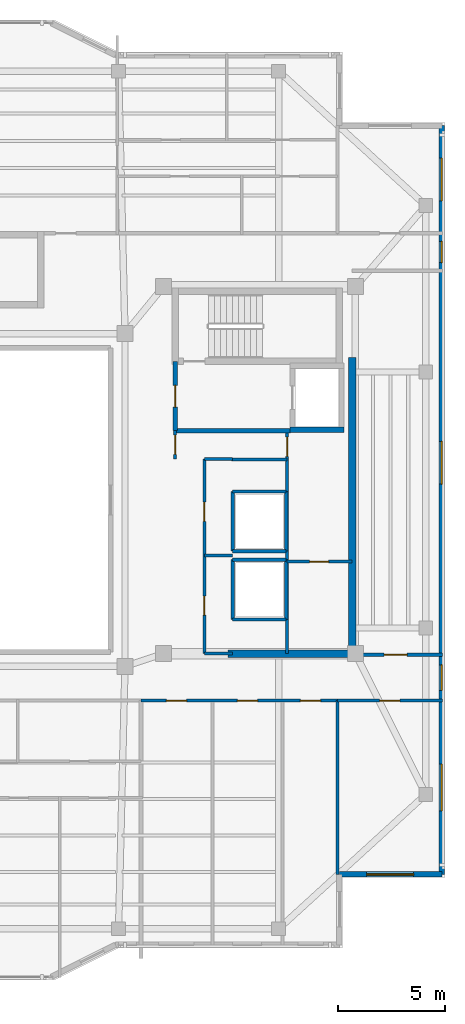
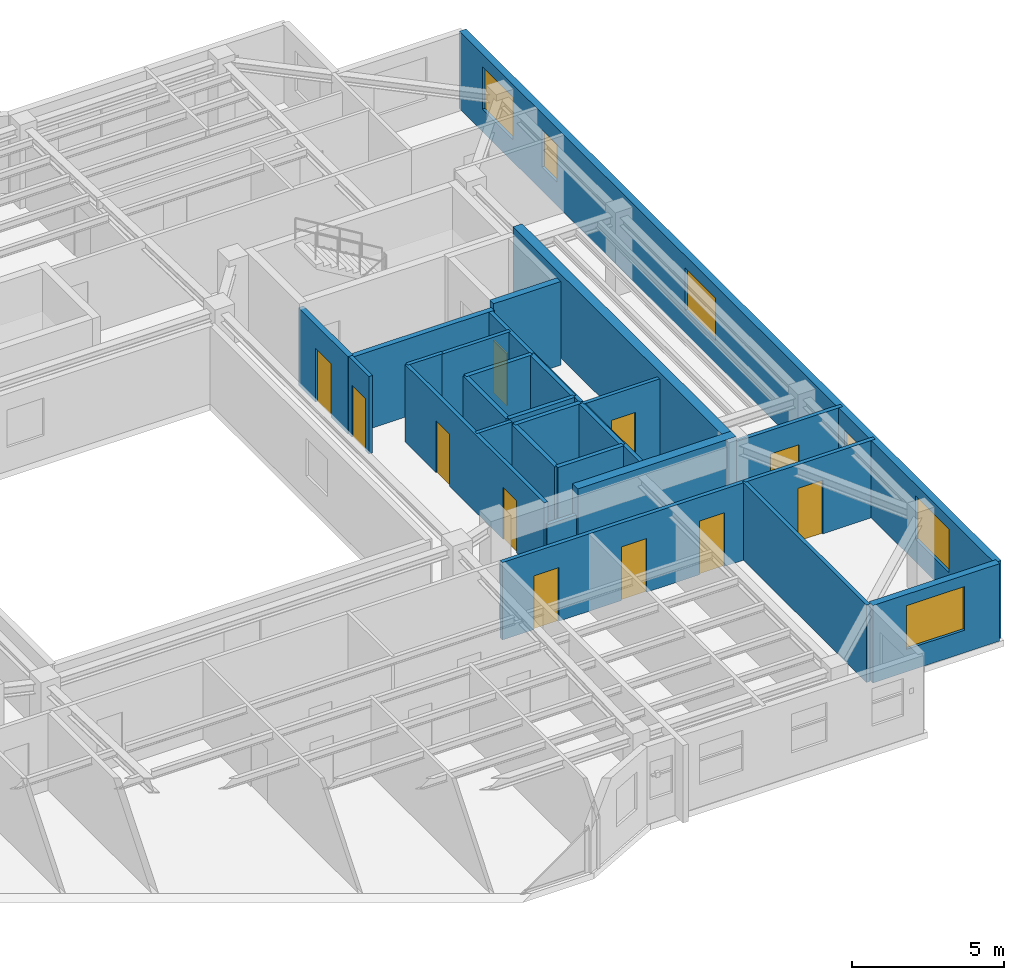
# One storey, part 8 of 13: 27 walls, 11 doors, 6 windows, 17 openings.
"""IFC4 building model written with IfcOpenShell, lengths in metres."""

from ifc_helpers import new_model, si_unit, direction, frame, frame_2d, origin, place, context, subcontext, project, spatial, rectangle, extrude, material, layer, layer_set, type_object, element, fill, save


model = new_model("IFC4")

# Units and contexts
model_context = context("Model", 3, precision=1e-05, world=origin(), true_north=direction((0.0, 1.0)))
body_context = subcontext(model_context, "Body", "Model", "MODEL_VIEW")
ifc_project = project(units=[si_unit("LENGTHUNIT", "METRE"), si_unit("AREAUNIT", "SQUARE_METRE"), si_unit("VOLUMEUNIT", "CUBIC_METRE"), si_unit("PLANEANGLEUNIT", "RADIAN"), si_unit("MASSUNIT", "GRAM", prefix="KILO")], contexts=[model_context])

# Site, building, storey
site_placement = place(None, origin())
site = spatial("IfcSite", under=ifc_project, at=site_placement, CompositionType="ELEMENT")
building_placement = place(site_placement, origin())
building = spatial("IfcBuilding", under=site, at=building_placement, Name="Tarnavaz Court Tower", CompositionType="ELEMENT")
storey_placement = place(building_placement, frame((0.0, 0.0, 248.199951171875)))
storey = spatial("IfcBuildingStorey", under=building, at=storey_placement, Name="L67", CompositionType="ELEMENT", Elevation=248.199951171875)

# Walls
ifc_material_1 = material(Name="Concrete C50/60", Category="concrete")
ifc_layer_1 = layer(ifc_material_1, 0.25)
ifc_layer_set_1 = layer_set([ifc_layer_1], Name="Concrete C50/60")
wall_type_1 = type_object("IfcWallType", Name="WL-CORE-250-C50", PredefinedType="SHEAR", material=ifc_layer_set_1)
wall_1_placement = place(storey_placement, frame((15.52490234375, 3.300048828125, 0.0), z_axis=(0.0, 0.0, 1.0), x_axis=(1.0, 0.0, 0.0)))
element("IfcWall", 1, at=wall_1_placement, inside=storey, type_object=wall_type_1, Name="L67 Lift FL-E1 Shaft Wall 035", PredefinedType="SHEAR", context=body_context, shape_type="SweptSolid", body=[
    extrude(rectangle(XDim=2.550048828125, YDim=0.25, at=frame_2d((1.27490234375, 0.0))), origin(), (0.0, 0.0, 1.0), 3.35009765625),
])
ifc_layer_2 = layer(ifc_material_1, 0.35009765625)
ifc_layer_set_2 = layer_set([ifc_layer_2], Name="Concrete C50/60")
wall_type_2 = type_object("IfcWallType", Name="WL-CORE-350-C50", PredefinedType="SHEAR", material=ifc_layer_set_2)
wall_2_placement = place(storey_placement, frame((18.449951171875, -7.375, 0.0), z_axis=(0.0, 0.0, 1.0), x_axis=(0.0, 1.0, 0.0)))
element("IfcWall", 2, at=wall_2_placement, inside=storey, type_object=wall_type_2, Name="L67 East Core Shear Wall 047", PredefinedType="SHEAR", context=body_context, shape_type="SweptSolid", body=[
    extrude(rectangle(XDim=14.050048828125, YDim=0.35009765625, at=frame_2d((7.02490234375, 0.0))), origin(), (0.0, 0.0, 1.0), 3.35009765625),
])
wall_3_placement = place(storey_placement, frame((12.625, -7.199951171875, 0.0), z_axis=(0.0, 0.0, 1.0), x_axis=(1.0, 0.0, 0.0)))
element("IfcWall", 3, at=wall_3_placement, inside=storey, type_object=wall_type_2, Name="L67 East Core South Shear Wall 048", PredefinedType="SHEAR", context=body_context, shape_type="SweptSolid", body=[
    extrude(rectangle(XDim=6.0, YDim=0.35009765625, at=frame_2d((3.0, 0.0))), origin(), (0.0, 0.0, 1.0), 3.35009765625),
])

# Wall, openings, windows
ifc_material_2 = material(Name="Precast Concrete C40/50", Category="concrete")
ifc_layer_3 = layer(ifc_material_2, 0.260009765625)
ifc_layer_set_3 = layer_set([ifc_layer_3], Name="Precast Concrete C40/50")
wall_type_3 = type_object("IfcWallType", Name="WL-EXT-260", PredefinedType="SOLIDWALL", material=ifc_layer_set_3)
wall_4_placement = place(storey_placement, frame((22.64990234375, 17.550048828125, 0.0), z_axis=(0.0, 0.0, 1.0), x_axis=(0.0, -1.0, 0.0)))
wall_4 = element("IfcWall", 4, at=wall_4_placement, inside=storey, type_object=wall_type_3, Name="L67 Exterior Terracotta Facade Wall 12", PredefinedType="SOLIDWALL", context=body_context, shape_type="SweptSolid", body=[
    extrude(rectangle(XDim=35.10009765625, YDim=0.260009765625, at=frame_2d((17.550048828125, 0.0))), origin(), (0.0, 0.0, 1.0), 3.10009765625),
])
opening_1_placement = place(wall_4_placement, frame((1.52490234375, 0.0, 0.89990234375)))
opening_1 = element("IfcOpeningElement", 5, at=opening_1_placement, cuts=wall_4, Name="Opening W08", PredefinedType="OPENING", context=body_context, shape_type="SweptSolid", body=[
    extrude(rectangle(XDim=2.0, YDim=1.699951171875, at=frame_2d((1.0, 0.85009765625))), frame((0.0, 0.139892578125, 0.0), z_axis=(0.0, -1.0, 0.0), x_axis=(1.0, 0.0, 0.0)), (0.0, 0.0, 1.0), 0.280029296875),
])
opening_2_placement = place(wall_4_placement, frame((5.425048828125, 0.0, 0.949951171875)))
opening_2 = element("IfcOpeningElement", 6, at=opening_2_placement, cuts=wall_4, Name="Opening W14", PredefinedType="OPENING", context=body_context, shape_type="SweptSolid", body=[
    extrude(rectangle(XDim=1.0, YDim=1.5, at=frame_2d((0.5, 0.75))), frame((0.0, 0.139892578125, 0.0), z_axis=(0.0, -1.0, 0.0), x_axis=(1.0, 0.0, 0.0)), (0.0, 0.0, 1.0), 0.280029296875),
])
opening_3_placement = place(wall_4_placement, frame((14.800048828125, 0.0, 0.89990234375)))
opening_3 = element("IfcOpeningElement", 7, at=opening_3_placement, cuts=wall_4, Name="Opening W08", PredefinedType="OPENING", context=body_context, shape_type="SweptSolid", body=[
    extrude(rectangle(XDim=2.0, YDim=1.699951171875, at=frame_2d((1.0, 0.85009765625))), frame((0.0, 0.139892578125, 0.0), z_axis=(0.0, -1.0, 0.0), x_axis=(1.0, 0.0, 0.0)), (0.0, 0.0, 1.0), 0.280029296875),
])
opening_4_placement = place(wall_4_placement, frame((25.27490234375, 0.0, 0.949951171875)))
opening_4 = element("IfcOpeningElement", 8, at=opening_4_placement, cuts=wall_4, Name="Opening W05", PredefinedType="OPENING", context=body_context, shape_type="SweptSolid", body=[
    extrude(rectangle(XDim=1.199951171875, YDim=1.5, at=frame_2d((0.60009765625, 0.75))), frame((0.0, 0.139892578125, 0.0), z_axis=(0.0, -1.0, 0.0), x_axis=(1.0, 0.0, 0.0)), (0.0, 0.0, 1.0), 0.280029296875),
])
opening_5_placement = place(wall_4_placement, frame((29.925048828125, 0.0, 0.89990234375)))
opening_5 = element("IfcOpeningElement", 9, at=opening_5_placement, cuts=wall_4, Name="Opening W07", PredefinedType="OPENING", context=body_context, shape_type="SweptSolid", body=[
    extrude(rectangle(XDim=2.199951171875, YDim=1.75, at=frame_2d((1.10009765625, 0.875))), frame((0.0, 0.139892578125, 0.0), z_axis=(0.0, -1.0, 0.0), x_axis=(1.0, 0.0, 0.0)), (0.0, 0.0, 1.0), 0.280029296875),
])
ifc_material_3 = material(Name="Double-Glazed Solar Low-E Glass", Category="glass")
window_type_1 = type_object("IfcWindowType", Name="WN-APT-1000", PartitioningType="SINGLE_PANEL", PredefinedType="WINDOW", material=ifc_material_3)
window_1_placement = place(opening_2_placement, origin())
window_1 = element("IfcWindow", 10, at=window_1_placement, inside=storey, type_object=window_type_1, Name="L67 North-East Corner Corridor Window", OverallHeight=1.5, OverallWidth=1.0, PartitioningType="SINGLE_PANEL", PredefinedType="WINDOW", context=body_context, shape_type="SweptSolid", body=[
    extrude(rectangle(XDim=1.0, YDim=1.5, at=frame_2d((0.5, 0.75))), frame((0.0, 0.030029296875, 0.0), z_axis=(0.0, -1.0, 0.0), x_axis=(1.0, 0.0, 0.0)), (0.0, 0.0, 1.0), 0.06005859375),
])
fill(opening_2, window_1)
window_type_2 = type_object("IfcWindowType", Name="WN-APT-1200", PartitioningType="SINGLE_PANEL", PredefinedType="WINDOW", material=ifc_material_3)
window_2_placement = place(opening_4_placement, origin())
window_2 = element("IfcWindow", 11, at=window_2_placement, inside=storey, type_object=window_type_2, Name="L67 South-East Corner Corridor Window", OverallHeight=1.5, OverallWidth=1.199951171875, PartitioningType="SINGLE_PANEL", PredefinedType="WINDOW", context=body_context, shape_type="SweptSolid", body=[
    extrude(rectangle(XDim=1.199951171875, YDim=1.5, at=frame_2d((0.60009765625, 0.75))), frame((0.0, 0.030029296875, 0.0), z_axis=(0.0, -1.0, 0.0), x_axis=(1.0, 0.0, 0.0)), (0.0, 0.0, 1.0), 0.06005859375),
])
fill(opening_4, window_2)
window_type_3 = type_object("IfcWindowType", Name="WN-APT-2000", PartitioningType="DOUBLE_PANEL_VERTICAL", PredefinedType="WINDOW", material=ifc_material_3)
window_3_placement = place(opening_1_placement, origin())
window_3 = element("IfcWindow", 12, at=window_3_placement, inside=storey, type_object=window_type_3, Name="L67 North-East Corner Sunroom Study Window", OverallHeight=1.699951171875, OverallWidth=2.0, PartitioningType="SINGLE_PANEL", PredefinedType="WINDOW", context=body_context, shape_type="SweptSolid", body=[
    extrude(rectangle(XDim=2.0, YDim=1.699951171875, at=frame_2d((1.0, 0.85009765625))), frame((0.0, 0.030029296875, 0.0), z_axis=(0.0, -1.0, 0.0), x_axis=(1.0, 0.0, 0.0)), (0.0, 0.0, 1.0), 0.06005859375),
])
fill(opening_1, window_3)
window_4_placement = place(opening_3_placement, origin())
window_4 = element("IfcWindow", 13, at=window_4_placement, inside=storey, type_object=window_type_3, Name="L67 East Wing Resident Fitness Lounge Window", OverallHeight=1.699951171875, OverallWidth=2.0, PartitioningType="SINGLE_PANEL", PredefinedType="WINDOW", context=body_context, shape_type="SweptSolid", body=[
    extrude(rectangle(XDim=2.0, YDim=1.699951171875, at=frame_2d((1.0, 0.85009765625))), frame((0.0, 0.030029296875, 0.0), z_axis=(0.0, -1.0, 0.0), x_axis=(1.0, 0.0, 0.0)), (0.0, 0.0, 1.0), 0.06005859375),
])
fill(opening_3, window_4)
window_type_4 = type_object("IfcWindowType", Name="WN-APT-2200", PartitioningType="TRIPLE_PANEL_VERTICAL", PredefinedType="WINDOW", material=ifc_material_3)
window_5_placement = place(opening_5_placement, origin())
window_5 = element("IfcWindow", 14, at=window_5_placement, inside=storey, type_object=window_type_4, Name="L67 South-East Corner Reading Room Window", OverallHeight=1.75, OverallWidth=2.199951171875, PartitioningType="SINGLE_PANEL", PredefinedType="WINDOW", context=body_context, shape_type="SweptSolid", body=[
    extrude(rectangle(XDim=2.199951171875, YDim=1.75, at=frame_2d((1.10009765625, 0.875))), frame((0.0, 0.030029296875, 0.0), z_axis=(0.0, -1.0, 0.0), x_axis=(1.0, 0.0, 0.0)), (0.0, 0.0, 1.0), 0.06005859375),
])
fill(opening_5, window_5)

# Wall, opening, window
wall_5_placement = place(storey_placement, frame((22.64990234375, -17.550048828125, 0.0), z_axis=(0.0, 0.0, 1.0), x_axis=(-1.0, 0.0, 0.0)))
wall_5 = element("IfcWall", 15, at=wall_5_placement, inside=storey, type_object=wall_type_3, Name="L67 Exterior Terracotta Facade Wall 13", PredefinedType="SOLIDWALL", context=body_context, shape_type="SweptSolid", body=[
    extrude(rectangle(XDim=4.7998046875, YDim=0.260009765625, at=frame_2d((2.39990234375, 0.0))), origin(), (0.0, 0.0, 1.0), 3.10009765625),
])
opening_6_placement = place(wall_5_placement, frame((1.3251953125, 0.0, 0.89990234375)))
opening_6 = element("IfcOpeningElement", 16, at=opening_6_placement, cuts=wall_5, Name="Opening W07", PredefinedType="OPENING", context=body_context, shape_type="SweptSolid", body=[
    extrude(rectangle(XDim=2.199951171875, YDim=1.75, at=frame_2d((1.10009765625, 0.875))), frame((0.0, 0.139892578125, 0.0), z_axis=(0.0, -1.0, 0.0), x_axis=(1.0, 0.0, 0.0)), (0.0, 0.0, 1.0), 0.280029296875),
])
window_6_placement = place(opening_6_placement, origin())
window_6 = element("IfcWindow", 17, at=window_6_placement, inside=storey, type_object=window_type_4, Name="L67 South-East Corner Reading Room Window", OverallHeight=1.75, OverallWidth=2.199951171875, PartitioningType="SINGLE_PANEL", PredefinedType="WINDOW", context=body_context, shape_type="SweptSolid", body=[
    extrude(rectangle(XDim=2.199951171875, YDim=1.75, at=frame_2d((1.10009765625, 0.875))), frame((0.0, 0.030029296875, 0.0), z_axis=(0.0, -1.0, 0.0), x_axis=(1.0, 0.0, 0.0)), (0.0, 0.0, 1.0), 0.06005859375),
])
fill(opening_6, window_6)

# Wall, openings, doors
ifc_material_4 = material(Name="Gypsum Fire-Board on Acoustic Metal Stud", Category="masonry")
ifc_layer_4 = layer(ifc_material_4, 0.14990234375)
ifc_layer_set_4 = layer_set([ifc_layer_4], Name="Gypsum Fire-Board on Acoustic Metal Stud")
wall_type_4 = type_object("IfcWallType", Name="WL-FIRE-150", PredefinedType="PARTITIONING", material=ifc_layer_set_4)
wall_6_placement = place(storey_placement, frame((8.550048828125, -9.39990234375, 0.0), z_axis=(0.0, 0.0, 1.0), x_axis=(1.0, 0.0, 0.0)))
wall_6 = element("IfcWall", 18, at=wall_6_placement, inside=storey, type_object=wall_type_4, Name="L67 SE Lobby Wall 063", PredefinedType="PARTITIONING", context=body_context, shape_type="SweptSolid", body=[
    extrude(rectangle(XDim=9.199951171875, YDim=0.14990234375, at=frame_2d((4.60009765625, 0.0))), origin(), (0.0, 0.0, 1.0), 3.10009765625),
])
opening_7_placement = place(wall_6_placement, frame((1.19189453125, 0.0, 0.0)))
opening_7 = element("IfcOpeningElement", 19, at=opening_7_placement, cuts=wall_6, Name="Opening D13", PredefinedType="OPENING", context=body_context, shape_type="SweptSolid", body=[
    extrude(rectangle(XDim=0.949951171875, YDim=2.14990234375, at=frame_2d((0.47509765625, 1.074951171875))), frame((0.0, 0.0849609375, 0.0), z_axis=(0.0, -1.0, 0.0), x_axis=(1.0, 0.0, 0.0)), (0.0, 0.0, 1.0), 0.169921875),
])
opening_8_placement = place(wall_6_placement, frame((4.51611328125, 0.0, 0.0)))
opening_8 = element("IfcOpeningElement", 20, at=opening_8_placement, cuts=wall_6, Name="Opening D13", PredefinedType="OPENING", context=body_context, shape_type="SweptSolid", body=[
    extrude(rectangle(XDim=0.949951171875, YDim=2.14990234375, at=frame_2d((0.47509765625, 1.074951171875))), frame((0.0, 0.0849609375, 0.0), z_axis=(0.0, -1.0, 0.0), x_axis=(1.0, 0.0, 0.0)), (0.0, 0.0, 1.0), 0.169921875),
])
opening_9_placement = place(wall_6_placement, frame((7.47412109375, 0.0, 0.0)))
opening_9 = element("IfcOpeningElement", 21, at=opening_9_placement, cuts=wall_6, Name="Opening D13", PredefinedType="OPENING", context=body_context, shape_type="SweptSolid", body=[
    extrude(rectangle(XDim=0.949951171875, YDim=2.14990234375, at=frame_2d((0.47509765625, 1.074951171875))), frame((0.0, 0.0849609375, 0.0), z_axis=(0.0, -1.0, 0.0), x_axis=(1.0, 0.0, 0.0)), (0.0, 0.0, 1.0), 0.169921875),
])
ifc_material_5 = material(Name="Engineered Oak Timber", Category="wood")
door_type_1 = type_object("IfcDoorType", Name="DR-INT-950", OperationType="NOTDEFINED", PredefinedType="DOOR", material=ifc_material_5)
door_1_placement = place(opening_7_placement, origin())
door_1 = element("IfcDoor", 22, at=door_1_placement, inside=storey, type_object=door_type_1, Name="L67 Resident Fitness and Yoga Studio Door", OperationType="SINGLE_SWING_RIGHT", OverallHeight=2.14990234375, OverallWidth=0.949951171875, PredefinedType="DOOR", context=body_context, shape_type="SweptSolid", body=[
    extrude(rectangle(XDim=0.949951171875, YDim=2.14990234375, at=frame_2d((0.47509765625, 1.074951171875))), frame((0.0, 0.02490234375, 0.0), z_axis=(0.0, -1.0, 0.0), x_axis=(1.0, 0.0, 0.0)), (0.0, 0.0, 1.0), 0.050048828125),
])
fill(opening_7, door_1)
door_2_placement = place(opening_8_placement, origin())
door_2 = element("IfcDoor", 23, at=door_2_placement, inside=storey, type_object=door_type_1, Name="L67 Children Playroom and Daycare Door", OperationType="SINGLE_SWING_LEFT", OverallHeight=2.14990234375, OverallWidth=0.949951171875, PredefinedType="DOOR", context=body_context, shape_type="SweptSolid", body=[
    extrude(rectangle(XDim=0.949951171875, YDim=2.14990234375, at=frame_2d((0.47509765625, 1.074951171875))), frame((0.0, 0.02490234375, 0.0), z_axis=(0.0, -1.0, 0.0), x_axis=(1.0, 0.0, 0.0)), (0.0, 0.0, 1.0), 0.050048828125),
])
fill(opening_8, door_2)
door_3_placement = place(opening_9_placement, origin())
door_3 = element("IfcDoor", 24, at=door_3_placement, inside=storey, type_object=door_type_1, Name="L67 Shared Community Tea Pantry Door", OperationType="SINGLE_SWING_RIGHT", OverallHeight=2.14990234375, OverallWidth=0.949951171875, PredefinedType="DOOR", context=body_context, shape_type="SweptSolid", body=[
    extrude(rectangle(XDim=0.949951171875, YDim=2.14990234375, at=frame_2d((0.47509765625, 1.074951171875))), frame((0.0, 0.02490234375, 0.0), z_axis=(0.0, -1.0, 0.0), x_axis=(1.0, 0.0, 0.0)), (0.0, 0.0, 1.0), 0.050048828125),
])
fill(opening_9, door_3)

# Wall, opening, door
wall_7_placement = place(storey_placement, frame((18.449951171875, -7.25, 0.0), z_axis=(0.0, 0.0, 1.0), x_axis=(1.0, 0.0, 0.0)))
wall_7 = element("IfcWall", 25, at=wall_7_placement, inside=storey, type_object=wall_type_4, Name="L67 Interior Partition 094", PredefinedType="PARTITIONING", context=body_context, shape_type="SweptSolid", body=[
    extrude(rectangle(XDim=4.22998046875, YDim=0.14990234375, at=frame_2d((2.114990234375, 0.0))), origin(), (0.0, 0.0, 1.0), 3.10009765625),
])
opening_10_placement = place(wall_7_placement, frame((1.5, 0.0, 0.0)))
opening_10 = element("IfcOpeningElement", 26, at=opening_10_placement, cuts=wall_7, Name="Opening D12", PredefinedType="OPENING", context=body_context, shape_type="SweptSolid", body=[
    extrude(rectangle(XDim=1.080078125, YDim=2.14990234375, at=frame_2d((0.5400390625, 1.074951171875))), frame((0.0, 0.0849609375, 0.0), z_axis=(0.0, -1.0, 0.0), x_axis=(1.0, 0.0, 0.0)), (0.0, 0.0, 1.0), 0.169921875),
])
door_type_2 = type_object("IfcDoorType", Name="DR-INT-1100", OperationType="NOTDEFINED", PredefinedType="DOOR", material=ifc_material_5)
door_4_placement = place(opening_10_placement, origin())
door_4 = element("IfcDoor", 27, at=door_4_placement, inside=storey, type_object=door_type_2, Name="L67 East Fitness Lounge Door", OperationType="SINGLE_SWING_LEFT", OverallHeight=2.14990234375, OverallWidth=1.080078125, PredefinedType="DOOR", context=body_context, shape_type="SweptSolid", body=[
    extrude(rectangle(XDim=1.080078125, YDim=2.14990234375, at=frame_2d((0.5400390625, 1.074951171875))), frame((0.0, 0.02490234375, 0.0), z_axis=(0.0, -1.0, 0.0), x_axis=(1.0, 0.0, 0.0)), (0.0, 0.0, 1.0), 0.050048828125),
])
fill(opening_10, door_4)

wall_8_placement = place(storey_placement, frame((17.75, -9.39990234375, 0.0), z_axis=(0.0, 0.0, 1.0), x_axis=(1.0, 0.0, 0.0)))
wall_8 = element("IfcWall", 28, at=wall_8_placement, inside=storey, type_object=wall_type_4, Name="L67 Interior Partition 103", PredefinedType="PARTITIONING", context=body_context, shape_type="SweptSolid", body=[
    extrude(rectangle(XDim=4.929931640625, YDim=0.14990234375, at=frame_2d((2.46484375, 0.0))), origin(), (0.0, 0.0, 1.0), 3.10009765625),
])
opening_11_placement = place(wall_8_placement, frame((1.989990234375, 0.0, 0.0)))
opening_11 = element("IfcOpeningElement", 29, at=opening_11_placement, cuts=wall_8, Name="Opening D13", PredefinedType="OPENING", context=body_context, shape_type="SweptSolid", body=[
    extrude(rectangle(XDim=0.949951171875, YDim=2.14990234375, at=frame_2d((0.47509765625, 1.074951171875))), frame((0.0, 0.0849609375, 0.0), z_axis=(0.0, -1.0, 0.0), x_axis=(1.0, 0.0, 0.0)), (0.0, 0.0, 1.0), 0.169921875),
])
door_5_placement = place(opening_11_placement, origin())
door_5 = element("IfcDoor", 30, at=door_5_placement, inside=storey, type_object=door_type_1, Name="L67 SE Reading Room Door", OperationType="SINGLE_SWING_LEFT", OverallHeight=2.14990234375, OverallWidth=0.949951171875, PredefinedType="DOOR", context=body_context, shape_type="SweptSolid", body=[
    extrude(rectangle(XDim=0.949951171875, YDim=2.14990234375, at=frame_2d((0.47509765625, 1.074951171875))), frame((0.0, 0.02490234375, 0.0), z_axis=(0.0, -1.0, 0.0), x_axis=(1.0, 0.0, 0.0)), (0.0, 0.0, 1.0), 0.050048828125),
])
fill(opening_11, door_5)

# Wall
ifc_material_6 = material(Name="Autoclaved Aerated Concrete Blockwork", Category="masonry")
ifc_layer_5 = layer(ifc_material_6, 0.199951171875)
ifc_layer_set_5 = layer_set([ifc_layer_5], Name="Autoclaved Aerated Concrete Blockwork")
wall_type_5 = type_object("IfcWallType", Name="WL-FIRE-200", PredefinedType="SOLIDWALL", material=ifc_layer_set_5)
wall_9_placement = place(storey_placement, frame((10.14990234375, 3.25, 0.0), z_axis=(0.0, 0.0, 1.0), x_axis=(1.0, 0.0, 0.0)))
element("IfcWall", 31, at=wall_9_placement, inside=storey, type_object=wall_type_5, Name="L67 East Firefighting Lobby Wall 015", PredefinedType="SOLIDWALL", context=body_context, shape_type="SweptSolid", body=[
    extrude(rectangle(XDim=5.400146484375, YDim=0.199951171875, at=frame_2d((2.7001953125, 0.0))), origin(), (0.0, 0.0, 1.0), 3.10009765625),
])

# Wall, opening, door
wall_10_placement = place(storey_placement, frame((10.14990234375, 3.25, 0.0), z_axis=(0.0, 0.0, 1.0), x_axis=(0.0, 1.0, 0.0)))
wall_10 = element("IfcWall", 32, at=wall_10_placement, inside=storey, type_object=wall_type_5, Name="L67 East Firefighting Lobby Wall 016", PredefinedType="SOLIDWALL", context=body_context, shape_type="SweptSolid", body=[
    extrude(rectangle(XDim=3.25, YDim=0.199951171875, at=frame_2d((1.625, 0.0))), origin(), (0.0, 0.0, 1.0), 3.10009765625),
])
opening_12_placement = place(wall_10_placement, frame((1.10009765625, 0.0, 0.0)))
opening_12 = element("IfcOpeningElement", 33, at=opening_12_placement, cuts=wall_10, Name="Opening D05", PredefinedType="OPENING", context=body_context, shape_type="SweptSolid", body=[
    extrude(rectangle(XDim=1.02001953125, YDim=2.14990234375, at=frame_2d((0.510009765625, 1.074951171875))), frame((0.0, 0.10986328125, 0.0), z_axis=(0.0, -1.0, 0.0), x_axis=(1.0, 0.0, 0.0)), (0.0, 0.0, 1.0), 0.219970703125),
])
ifc_material_7 = material(Name="Fire-Rated Hardwood Timber Core", Category="wood")
door_type_3 = type_object("IfcDoorType", Name="DR-FD60-1000", OperationType="NOTDEFINED", PredefinedType="DOOR", material=ifc_material_7)
door_6_placement = place(opening_12_placement, origin())
door_6 = element("IfcDoor", 34, at=door_6_placement, inside=storey, type_object=door_type_3, Name="L67 East Firefighting Lobby Door", OperationType="SINGLE_SWING_LEFT", OverallHeight=2.14990234375, OverallWidth=1.02001953125, PredefinedType="DOOR", context=body_context, shape_type="SweptSolid", body=[
    extrude(rectangle(XDim=1.02001953125, YDim=2.14990234375, at=frame_2d((0.510009765625, 1.074951171875))), frame((0.0, 0.02490234375, 0.0), z_axis=(0.0, -1.0, 0.0), x_axis=(1.0, 0.0, 0.0)), (0.0, 0.0, 1.0), 0.050048828125),
])
fill(opening_12, door_6)

# Wall
ifc_material_8 = material(Name="Gypsum Plasterboard Acoustic Partition", Category="masonry")
ifc_layer_6 = layer(ifc_material_8, 0.139892578125)
ifc_layer_set_6 = layer_set([ifc_layer_6], Name="Gypsum Plasterboard Acoustic Partition")
wall_type_6 = type_object("IfcWallType", Name="WL-PART-150", PredefinedType="PARTITIONING", material=ifc_layer_set_6)
wall_11_placement = place(storey_placement, frame((12.800048828125, 1.89990234375, 0.0), z_axis=(0.0, 0.0, 1.0), x_axis=(1.0, 0.0, 0.0)))
element("IfcWall", 35, at=wall_11_placement, inside=storey, type_object=wall_type_6, Name="L67 Interior Partition 052", PredefinedType="PARTITIONING", context=body_context, shape_type="SweptSolid", body=[
    extrude(rectangle(XDim=2.599853515625, YDim=0.139892578125, at=frame_2d((1.2998046875, 0.0))), origin(), (0.0, 0.0, 1.0), 3.10009765625),
])

# Wall, opening, door
wall_12_placement = place(storey_placement, frame((10.14990234375, 1.919921875, 0.0), z_axis=(0.0, 0.0, 1.0), x_axis=(0.0, 1.0, 0.0)))
wall_12 = element("IfcWall", 36, at=wall_12_placement, inside=storey, type_object=wall_type_6, Name="L67 Interior Partition 053", PredefinedType="PARTITIONING", context=body_context, shape_type="SweptSolid", body=[
    extrude(rectangle(XDim=1.330078125, YDim=0.139892578125, at=frame_2d((0.6650390625, 0.0))), origin(), (0.0, 0.0, 1.0), 3.10009765625),
])
opening_13_placement = place(wall_12_placement, frame((0.219970703125, 0.0, 0.0)))
opening_13 = element("IfcOpeningElement", 37, at=opening_13_placement, cuts=wall_12, Name="Opening D09", PredefinedType="OPENING", context=body_context, shape_type="SweptSolid", body=[
    extrude(rectangle(XDim=0.89990234375, YDim=2.080078125, at=frame_2d((0.449951171875, 1.0400390625))), frame((0.0, 0.079833984375, 0.0), z_axis=(0.0, -1.0, 0.0), x_axis=(1.0, 0.0, 0.0)), (0.0, 0.0, 1.0), 0.159912109375),
])
door_type_4 = type_object("IfcDoorType", Name="DR-FD30-900", OperationType="NOTDEFINED", PredefinedType="DOOR", material=ifc_material_7)
door_7_placement = place(opening_13_placement, origin())
door_7 = element("IfcDoor", 38, at=door_7_placement, inside=storey, type_object=door_type_4, Name="L67 East Core Service Lobby Door", OperationType="SINGLE_SWING_LEFT", OverallHeight=2.080078125, OverallWidth=0.89990234375, PredefinedType="DOOR", context=body_context, shape_type="SweptSolid", body=[
    extrude(rectangle(XDim=0.89990234375, YDim=2.080078125, at=frame_2d((0.449951171875, 1.0400390625))), frame((0.0, 0.02490234375, 0.0), z_axis=(0.0, -1.0, 0.0), x_axis=(1.0, 0.0, 0.0)), (0.0, 0.0, 1.0), 0.050048828125),
])
fill(opening_13, door_7)

wall_13_placement = place(storey_placement, frame((15.39990234375, -7.199951171875, 0.0), z_axis=(0.0, 0.0, 1.0), x_axis=(0.0, 1.0, 0.0)))
wall_13 = element("IfcWall", 39, at=wall_13_placement, inside=storey, type_object=wall_type_6, Name="L67 Interior Partition 054", PredefinedType="PARTITIONING", context=body_context, shape_type="SweptSolid", body=[
    extrude(rectangle(XDim=10.449951171875, YDim=0.139892578125, at=frame_2d((5.22509765625, 0.0))), origin(), (0.0, 0.0, 1.0), 3.10009765625),
])
opening_14_placement = place(wall_13_placement, frame((9.25, 0.0, 0.0)))
opening_14 = element("IfcOpeningElement", 40, at=opening_14_placement, cuts=wall_13, Name="Opening D09", PredefinedType="OPENING", context=body_context, shape_type="SweptSolid", body=[
    extrude(rectangle(XDim=0.89990234375, YDim=2.080078125, at=frame_2d((0.449951171875, 1.0400390625))), frame((0.0, 0.079833984375, 0.0), z_axis=(0.0, -1.0, 0.0), x_axis=(1.0, 0.0, 0.0)), (0.0, 0.0, 1.0), 0.159912109375),
])
door_8_placement = place(opening_14_placement, origin())
door_8 = element("IfcDoor", 41, at=door_8_placement, inside=storey, type_object=door_type_4, Name="L67 East Wet Riser Door", OperationType="SINGLE_SWING_RIGHT", OverallHeight=2.080078125, OverallWidth=0.89990234375, PredefinedType="DOOR", context=body_context, shape_type="SweptSolid", body=[
    extrude(rectangle(XDim=0.89990234375, YDim=2.080078125, at=frame_2d((0.449951171875, 1.0400390625))), frame((0.0, 0.02490234375, 0.0), z_axis=(0.0, -1.0, 0.0), x_axis=(1.0, 0.0, 0.0)), (0.0, 0.0, 1.0), 0.050048828125),
])
fill(opening_14, door_8)

wall_14_placement = place(storey_placement, frame((15.39990234375, -2.889892578125, 0.0), z_axis=(0.0, 0.0, 1.0), x_axis=(1.0, 0.0, 0.0)))
wall_14 = element("IfcWall", 42, at=wall_14_placement, inside=storey, type_object=wall_type_6, Name="L67 Interior Partition 055", PredefinedType="PARTITIONING", context=body_context, shape_type="SweptSolid", body=[
    extrude(rectangle(XDim=3.050048828125, YDim=0.139892578125, at=frame_2d((1.52490234375, 0.0))), origin(), (0.0, 0.0, 1.0), 3.10009765625),
])
opening_15_placement = place(wall_14_placement, frame((1.050048828125, 0.0, 0.0)))
opening_15 = element("IfcOpeningElement", 43, at=opening_15_placement, cuts=wall_14, Name="Opening D09", PredefinedType="OPENING", context=body_context, shape_type="SweptSolid", body=[
    extrude(rectangle(XDim=0.89990234375, YDim=2.080078125, at=frame_2d((0.449951171875, 1.0400390625))), frame((0.0, 0.079833984375, 0.0), z_axis=(0.0, -1.0, 0.0), x_axis=(1.0, 0.0, 0.0)), (0.0, 0.0, 1.0), 0.159912109375),
])
door_9_placement = place(opening_15_placement, origin())
door_9 = element("IfcDoor", 44, at=door_9_placement, inside=storey, type_object=door_type_4, Name="L67 East Electrical Plant Door", OperationType="SINGLE_SWING_LEFT", OverallHeight=2.080078125, OverallWidth=0.89990234375, PredefinedType="DOOR", context=body_context, shape_type="SweptSolid", body=[
    extrude(rectangle(XDim=0.89990234375, YDim=2.080078125, at=frame_2d((0.449951171875, 1.0400390625))), frame((0.0, 0.02490234375, 0.0), z_axis=(0.0, -1.0, 0.0), x_axis=(1.0, 0.0, 0.0)), (0.0, 0.0, 1.0), 0.050048828125),
])
fill(opening_15, door_9)

# Wall, openings, doors
wall_15_placement = place(storey_placement, frame((11.52001953125, -7.199951171875, 0.0), z_axis=(0.0, 0.0, 1.0), x_axis=(0.0, 1.0, 0.0)))
wall_15 = element("IfcWall", 45, at=wall_15_placement, inside=storey, type_object=wall_type_6, Name="L67 Interior Partition 056", PredefinedType="PARTITIONING", context=body_context, shape_type="SweptSolid", body=[
    extrude(rectangle(XDim=9.119873046875, YDim=0.139892578125, at=frame_2d((4.56005859375, 0.0))), origin(), (0.0, 0.0, 1.0), 3.10009765625),
])
opening_16_placement = place(wall_15_placement, frame((1.800048828125, 0.0, 0.0)))
opening_16 = element("IfcOpeningElement", 46, at=opening_16_placement, cuts=wall_15, Name="Opening D09", PredefinedType="OPENING", context=body_context, shape_type="SweptSolid", body=[
    extrude(rectangle(XDim=0.89990234375, YDim=2.080078125, at=frame_2d((0.449951171875, 1.0400390625))), frame((0.0, 0.079833984375, 0.0), z_axis=(0.0, -1.0, 0.0), x_axis=(1.0, 0.0, 0.0)), (0.0, 0.0, 1.0), 0.159912109375),
])
opening_17_placement = place(wall_15_placement, frame((6.199951171875, 0.0, 0.0)))
opening_17 = element("IfcOpeningElement", 47, at=opening_17_placement, cuts=wall_15, Name="Opening D09", PredefinedType="OPENING", context=body_context, shape_type="SweptSolid", body=[
    extrude(rectangle(XDim=0.89990234375, YDim=2.080078125, at=frame_2d((0.449951171875, 1.0400390625))), frame((0.0, 0.079833984375, 0.0), z_axis=(0.0, -1.0, 0.0), x_axis=(1.0, 0.0, 0.0)), (0.0, 0.0, 1.0), 0.159912109375),
])
door_10_placement = place(opening_16_placement, origin())
door_10 = element("IfcDoor", 48, at=door_10_placement, inside=storey, type_object=door_type_4, Name="L67 East Sky Housekeeping Door", OperationType="SINGLE_SWING_RIGHT", OverallHeight=2.080078125, OverallWidth=0.89990234375, PredefinedType="DOOR", context=body_context, shape_type="SweptSolid", body=[
    extrude(rectangle(XDim=0.89990234375, YDim=2.080078125, at=frame_2d((0.449951171875, 1.0400390625))), frame((0.0, 0.02490234375, 0.0), z_axis=(0.0, -1.0, 0.0), x_axis=(1.0, 0.0, 0.0)), (0.0, 0.0, 1.0), 0.050048828125),
])
fill(opening_16, door_10)
door_11_placement = place(opening_17_placement, origin())
door_11 = element("IfcDoor", 49, at=door_11_placement, inside=storey, type_object=door_type_4, Name="L67 East Sky Meter Room Door", OperationType="SINGLE_SWING_LEFT", OverallHeight=2.080078125, OverallWidth=0.89990234375, PredefinedType="DOOR", context=body_context, shape_type="SweptSolid", body=[
    extrude(rectangle(XDim=0.89990234375, YDim=2.080078125, at=frame_2d((0.449951171875, 1.0400390625))), frame((0.0, 0.02490234375, 0.0), z_axis=(0.0, -1.0, 0.0), x_axis=(1.0, 0.0, 0.0)), (0.0, 0.0, 1.0), 0.050048828125),
])
fill(opening_17, door_11)

# Walls
wall_16_placement = place(storey_placement, frame((11.52001953125, 1.919921875, 0.0), z_axis=(0.0, 0.0, 1.0), x_axis=(1.0, 0.0, 0.0)))
element("IfcWall", 50, at=wall_16_placement, inside=storey, type_object=wall_type_6, Name="L67 Interior Partition 057", PredefinedType="PARTITIONING", context=body_context, shape_type="SweptSolid", body=[
    extrude(rectangle(XDim=1.330078125, YDim=0.139892578125, at=frame_2d((0.6650390625, 0.0))), origin(), (0.0, 0.0, 1.0), 3.10009765625),
])
wall_17_placement = place(storey_placement, frame((11.52001953125, -7.199951171875, 0.0), z_axis=(0.0, 0.0, 1.0), x_axis=(1.0, 0.0, 0.0)))
element("IfcWall", 51, at=wall_17_placement, inside=storey, type_object=wall_type_6, Name="L67 Interior Partition 058", PredefinedType="PARTITIONING", context=body_context, shape_type="SweptSolid", body=[
    extrude(rectangle(XDim=1.330078125, YDim=0.139892578125, at=frame_2d((0.6650390625, 0.0))), origin(), (0.0, 0.0, 1.0), 2.235107421875),
])
wall_18_placement = place(storey_placement, frame((11.52001953125, -2.60009765625, 0.0), z_axis=(0.0, 0.0, 1.0), x_axis=(1.0, 0.0, 0.0)))
element("IfcWall", 52, at=wall_18_placement, inside=storey, type_object=wall_type_6, Name="L67 Interior Partition 059", PredefinedType="PARTITIONING", context=body_context, shape_type="SweptSolid", body=[
    extrude(rectangle(XDim=1.330078125, YDim=0.139892578125, at=frame_2d((0.6650390625, 0.0))), origin(), (0.0, 0.0, 1.0), 3.10009765625),
])
wall_19_placement = place(storey_placement, frame((17.75, -17.550048828125, 0.0), z_axis=(0.0, 0.0, 1.0), x_axis=(0.0, 1.0, 0.0)))
element("IfcWall", 53, at=wall_19_placement, inside=storey, type_object=wall_type_6, Name="L67 Interior Partition 097", PredefinedType="PARTITIONING", context=body_context, shape_type="SweptSolid", body=[
    extrude(rectangle(XDim=8.150146484375, YDim=0.139892578125, at=frame_2d((4.0751953125, 0.0))), origin(), (0.0, 0.0, 1.0), 3.10009765625),
])
ifc_layer_7 = layer(ifc_material_6, 0.159912109375)
ifc_layer_set_7 = layer_set([ifc_layer_7], Name="Autoclaved Aerated Concrete Blockwork")
wall_type_7 = type_object("IfcWallType", Name="WL-SHAFT-150", PredefinedType="SOLIDWALL", material=ifc_layer_set_7)
for number, where, z_axis, x_axis, name in (
    (54, (12.85009765625, -5.60009765625, 0.0), (0.0, 0.0, 1.0), (0.0, 1.0, 0.0), "L67 Lift PL-OB1 Shaft Wall 037"),
    (55, (15.35009765625, -5.60009765625, 0.0), (0.0, 0.0, 1.0), (0.0, 1.0, 0.0), "L67 Lift PL-OB1 Shaft Wall 038"),
):
    element("IfcWall", number, at=place(storey_placement, frame(where, z_axis=z_axis, x_axis=x_axis)), inside=storey, type_object=wall_type_7, Name=name, PredefinedType="SOLIDWALL", context=body_context, shape_type="SweptSolid", body=[
        extrude(rectangle(XDim=2.800048828125, YDim=0.159912109375, at=frame_2d((1.39990234375, 0.0))), origin(), (0.0, 0.0, 1.0), 3.10009765625),
    ])
for number, where, z_axis, x_axis, name in (
    (56, (12.85009765625, -5.60009765625, 0.0), (0.0, 0.0, 1.0), (1.0, 0.0, 0.0), "L67 Lift PL-OB1 Shaft Wall 039"),
    (57, (12.85009765625, -2.800048828125, 0.0), (0.0, 0.0, 1.0), (1.0, 0.0, 0.0), "L67 Lift PL-OB1 Shaft Wall 040"),
):
    element("IfcWall", number, at=place(storey_placement, frame(where, z_axis=z_axis, x_axis=x_axis)), inside=storey, type_object=wall_type_7, Name=name, PredefinedType="SOLIDWALL", context=body_context, shape_type="SweptSolid", body=[
        extrude(rectangle(XDim=2.5, YDim=0.159912109375, at=frame_2d((1.25, 0.0))), origin(), (0.0, 0.0, 1.0), 3.10009765625),
    ])
for number, where, z_axis, x_axis, name in (
    (58, (12.85009765625, -2.39990234375, 0.0), (0.0, 0.0, 1.0), (0.0, 1.0, 0.0), "L67 Lift PL-OB2 Shaft Wall 041"),
    (59, (15.35009765625, -2.39990234375, 0.0), (0.0, 0.0, 1.0), (0.0, 1.0, 0.0), "L67 Lift PL-OB2 Shaft Wall 042"),
):
    element("IfcWall", number, at=place(storey_placement, frame(where, z_axis=z_axis, x_axis=x_axis)), inside=storey, type_object=wall_type_7, Name=name, PredefinedType="SOLIDWALL", context=body_context, shape_type="SweptSolid", body=[
        extrude(rectangle(XDim=2.7998046875, YDim=0.159912109375, at=frame_2d((1.39990234375, 0.0))), origin(), (0.0, 0.0, 1.0), 3.10009765625),
    ])
for number, where, z_axis, x_axis, name in (
    (60, (12.85009765625, -2.39990234375, 0.0), (0.0, 0.0, 1.0), (1.0, 0.0, 0.0), "L67 Lift PL-OB2 Shaft Wall 043"),
    (61, (12.85009765625, 0.39990234375, 0.0), (0.0, 0.0, 1.0), (1.0, 0.0, 0.0), "L67 Lift PL-OB2 Shaft Wall 044"),
):
    element("IfcWall", number, at=place(storey_placement, frame(where, z_axis=z_axis, x_axis=x_axis)), inside=storey, type_object=wall_type_7, Name=name, PredefinedType="SOLIDWALL", context=body_context, shape_type="SweptSolid", body=[
        extrude(rectangle(XDim=2.5, YDim=0.159912109375, at=frame_2d((1.25, 0.0))), origin(), (0.0, 0.0, 1.0), 3.10009765625),
    ])

save(model, "model.ifc")
